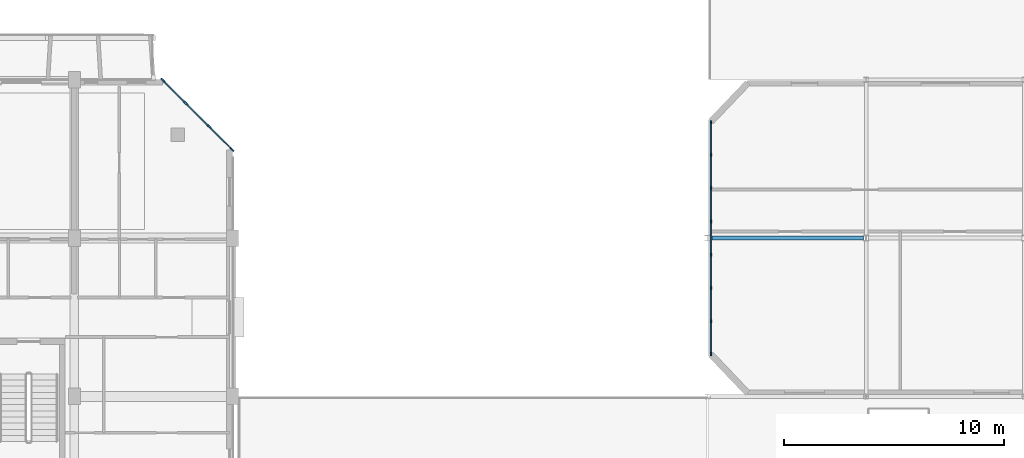
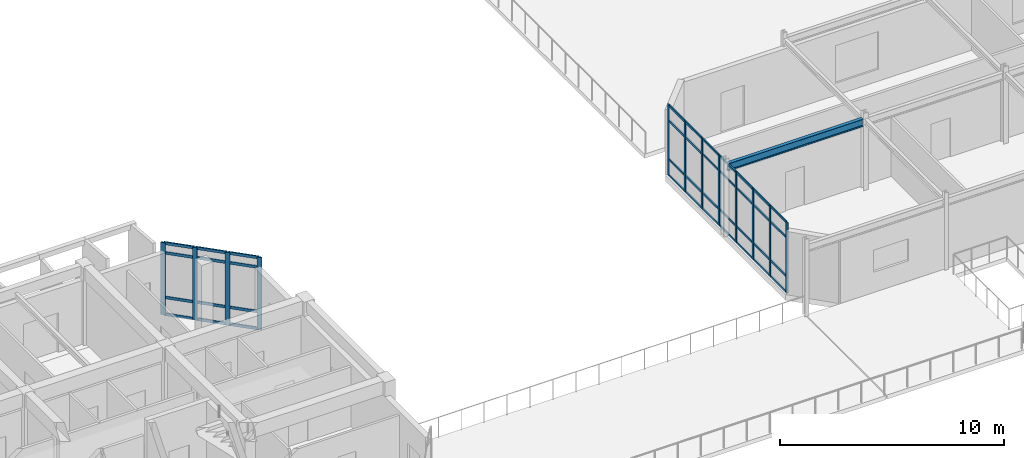
# One storey, part 28 of 85: 52 members, 1 beam, 2 elements without a shape of their own.
"""IFC4 building model written with IfcOpenShell, lengths in metres."""

from ifc_helpers import new_model, si_unit, direction, frame, origin, origin_2d, place, context, subcontext, project, spatial, rectangle, i_section, extrude, material, layer, layer_set, material_profile, profile_set, type_object, element, aggregate, save


model = new_model("IFC4")

# Units and contexts
model_context = context("Model", 3, precision=1e-05, world=origin(), true_north=direction((0.0, 1.0)))
body_context = subcontext(model_context, "Body", "Model", "MODEL_VIEW")
ifc_project = project(units=[si_unit("LENGTHUNIT", "METRE"), si_unit("AREAUNIT", "SQUARE_METRE"), si_unit("VOLUMEUNIT", "CUBIC_METRE"), si_unit("PLANEANGLEUNIT", "RADIAN"), si_unit("MASSUNIT", "GRAM", prefix="KILO")], contexts=[model_context])

# Site, building, storey
site_placement = place(None, origin())
site = spatial("IfcSite", under=ifc_project, at=site_placement, CompositionType="ELEMENT")
building_placement = place(site_placement, origin())
building = spatial("IfcBuilding", under=site, at=building_placement, Name="Ochrevale Crest", CompositionType="ELEMENT")
storey_placement = place(building_placement, frame((0.0, 0.0, 4.5)))
storey = spatial("IfcBuildingStorey", under=building, at=storey_placement, Name="L01", CompositionType="ELEMENT", Elevation=4.5)

# Beam
ifc_material_1 = material(Name="Steel S355", Category="steel")
ifc_material_profile_1 = material_profile(ifc_material_1, i_section(OverallWidth=0.177734375, OverallDepth=0.406494140625, WebThickness=0.0078125, FlangeThickness=0.0126953125, FilletRadius=0.011474609375, at=origin_2d()), Name="410UB59.7")
ifc_profile_set_1 = profile_set([ifc_material_profile_1], Name="Steel S355")
beam_type = type_object("IfcBeamType", Name="BM-UB410B", PredefinedType="BEAM", material=ifc_profile_set_1)
beam_placement = place(storey_placement, frame((57.719970703125, 86.39990234375, 3.671875), z_axis=(1.0, 0.0, 0.0), x_axis=(0.0, 1.0, 0.0)))
element("IfcBeam", 1, at=beam_placement, inside=storey, type_object=beam_type, Name="Nursery L01 steel girder Y=86.4", PredefinedType="BEAM", context=body_context, shape_type="SweptSolid", body=[
    extrude(i_section(OverallWidth=0.177734375, OverallDepth=0.406494140625, WebThickness=0.0078125, FlangeThickness=0.0126953125, FilletRadius=0.011474609375, at=origin_2d()), origin(), (0.0, 0.0, 1.0), 6.9599609375),
])

# Curtain wall, members
ifc_material_2 = material(Name="Anodised aluminium 6063-T5", Category="aluminium")
ifc_layer_1 = layer(ifc_material_2, 0.14990234375)
ifc_layer_set_1 = layer_set([ifc_layer_1], Name="Anodised aluminium 6063-T5")
curtain_wall_type_1 = type_object("IfcCurtainWallType", Name="CW-NUR-540x385", PredefinedType="NOTDEFINED", material=ifc_layer_set_1)
curtain_wall_1_placement = place(storey_placement, origin())
curtain_wall_1 = element("IfcCurtainWall", 2, at=curtain_wall_1_placement, inside=storey, type_object=curtain_wall_type_1, Name="Nursery Pavilion W glazed playroom curtain wall", PredefinedType="NOTDEFINED")
ifc_material_profile_2 = material_profile(ifc_material_2, rectangle(XDim=0.06494140625, YDim=0.14990234375, at=origin_2d()), Name="ALU 65x150")
ifc_profile_set_2 = profile_set([ifc_material_profile_2], Name="Anodised aluminium 6063-T5")
member_type_1 = type_object("IfcMemberType", Name="CW-MUL-65x150", PredefinedType="MULLION", material=ifc_profile_set_2)
member_1_placement = place(storey_placement, frame((57.75, 81.132568359375, 0.0), z_axis=(0.0, 0.0, 1.0), x_axis=(-1.0, 0.0, 0.0)))
member_1 = element("IfcMember", 3, at=member_1_placement, type_object=member_type_1, Name="CW10 mullion 1", PredefinedType="MULLION", context=body_context, shape_type="SweptSolid", body=[
    extrude(rectangle(XDim=0.06494140625, YDim=0.14990234375, at=origin_2d()), origin(), (0.0, 0.0, 1.0), 3.85009765625),
])
member_2_placement = place(storey_placement, frame((57.75, 82.6142578125, 0.0), z_axis=(0.0, 0.0, 1.0), x_axis=(-1.0, 0.0, 0.0)))
member_2 = element("IfcMember", 4, at=member_2_placement, type_object=member_type_1, Name="CW10 mullion 2", PredefinedType="MULLION", context=body_context, shape_type="SweptSolid", body=[
    extrude(rectangle(XDim=0.06494140625, YDim=0.14990234375, at=origin_2d()), origin(), (0.0, 0.0, 1.0), 3.85009765625),
])
member_3_placement = place(storey_placement, frame((57.75, 84.128662109375, 0.0), z_axis=(0.0, 0.0, 1.0), x_axis=(-1.0, 0.0, 0.0)))
member_3 = element("IfcMember", 5, at=member_3_placement, type_object=member_type_1, Name="CW10 mullion 3", PredefinedType="MULLION", context=body_context, shape_type="SweptSolid", body=[
    extrude(rectangle(XDim=0.06494140625, YDim=0.14990234375, at=origin_2d()), origin(), (0.0, 0.0, 1.0), 3.85009765625),
])
member_4_placement = place(storey_placement, frame((57.75, 85.642822265625, 0.0), z_axis=(0.0, 0.0, 1.0), x_axis=(-1.0, 0.0, 0.0)))
member_4 = element("IfcMember", 6, at=member_4_placement, type_object=member_type_1, Name="CW10 mullion 4", PredefinedType="MULLION", context=body_context, shape_type="SweptSolid", body=[
    extrude(rectangle(XDim=0.06494140625, YDim=0.14990234375, at=origin_2d()), origin(), (0.0, 0.0, 1.0), 3.85009765625),
])
member_5_placement = place(storey_placement, frame((57.75, 87.1572265625, 0.0), z_axis=(0.0, 0.0, 1.0), x_axis=(-1.0, 0.0, 0.0)))
member_5 = element("IfcMember", 7, at=member_5_placement, type_object=member_type_1, Name="CW10 mullion 5", PredefinedType="MULLION", context=body_context, shape_type="SweptSolid", body=[
    extrude(rectangle(XDim=0.06494140625, YDim=0.14990234375, at=origin_2d()), origin(), (0.0, 0.0, 1.0), 3.85009765625),
])
member_6_placement = place(storey_placement, frame((57.75, 88.67138671875, 0.0), z_axis=(0.0, 0.0, 1.0), x_axis=(-1.0, 0.0, 0.0)))
member_6 = element("IfcMember", 8, at=member_6_placement, type_object=member_type_1, Name="CW10 mullion 6", PredefinedType="MULLION", context=body_context, shape_type="SweptSolid", body=[
    extrude(rectangle(XDim=0.06494140625, YDim=0.14990234375, at=origin_2d()), origin(), (0.0, 0.0, 1.0), 3.85009765625),
])
member_7_placement = place(storey_placement, frame((57.75, 90.185791015625, 0.0), z_axis=(0.0, 0.0, 1.0), x_axis=(-1.0, 0.0, 0.0)))
member_7 = element("IfcMember", 9, at=member_7_placement, type_object=member_type_1, Name="CW10 mullion 7", PredefinedType="MULLION", context=body_context, shape_type="SweptSolid", body=[
    extrude(rectangle(XDim=0.06494140625, YDim=0.14990234375, at=origin_2d()), origin(), (0.0, 0.0, 1.0), 3.85009765625),
])
member_8_placement = place(storey_placement, frame((57.75, 91.66748046875, 0.0), z_axis=(0.0, 0.0, 1.0), x_axis=(-1.0, 0.0, 0.0)))
member_8 = element("IfcMember", 10, at=member_8_placement, type_object=member_type_1, Name="CW10 mullion 8", PredefinedType="MULLION", context=body_context, shape_type="SweptSolid", body=[
    extrude(rectangle(XDim=0.06494140625, YDim=0.14990234375, at=origin_2d()), origin(), (0.0, 0.0, 1.0), 3.85009765625),
])

ifc_layer_2 = layer(ifc_material_2, 0.14990234375)
ifc_layer_set_2 = layer_set([ifc_layer_2], Name="Anodised aluminium 6063-T5")
curtain_wall_type_2 = type_object("IfcCurtainWallType", Name="CW-WG-360x385", PredefinedType="NOTDEFINED", material=ifc_layer_set_2)
curtain_wall_2_placement = place(storey_placement, origin())
curtain_wall_2 = element("IfcCurtainWall", 11, at=curtain_wall_2_placement, inside=storey, type_object=curtain_wall_type_2, Name="Block B L01 chamfered corner wintergarden curtain wall 4", PredefinedType="NOTDEFINED")
ifc_material_profile_3 = material_profile(ifc_material_2, rectangle(XDim=0.074951171875, YDim=0.219970703125, at=origin_2d()), Name="ALU 75x220")
ifc_profile_set_3 = profile_set([ifc_material_profile_3], Name="Anodised aluminium 6063-T5")
member_type_2 = type_object("IfcMemberType", Name="CW-MUL-75x220", PredefinedType="MULLION", material=ifc_profile_set_3)
member_9_placement = place(storey_placement, frame((35.973388671875, 90.426513671875, 0.0), z_axis=(0.0, 0.0, 1.0), x_axis=(-0.707106781187, -0.707106781187, 0.0)))
member_9 = element("IfcMember", 12, at=member_9_placement, type_object=member_type_2, Name="CW20 mullion 1", PredefinedType="MULLION", context=body_context, shape_type="SweptSolid", body=[
    extrude(rectangle(XDim=0.074951171875, YDim=0.219970703125, at=origin_2d()), origin(), (0.0, 0.0, 1.0), 3.925048828125),
])
member_10_placement = place(storey_placement, frame((34.933349609375, 91.466552734375, 0.0), z_axis=(0.0, 0.0, 1.0), x_axis=(-0.707106781187, -0.707106781187, 0.0)))
member_10 = element("IfcMember", 13, at=member_10_placement, type_object=member_type_2, Name="CW20 mullion 2", PredefinedType="MULLION", context=body_context, shape_type="SweptSolid", body=[
    extrude(rectangle(XDim=0.074951171875, YDim=0.219970703125, at=origin_2d()), origin(), (0.0, 0.0, 1.0), 3.925048828125),
])
member_11_placement = place(storey_placement, frame((33.86669921875, 92.533447265625, 0.0), z_axis=(0.0, 0.0, 1.0), x_axis=(-0.707106781187, -0.707106781187, 0.0)))
member_11 = element("IfcMember", 14, at=member_11_placement, type_object=member_type_2, Name="CW20 mullion 3", PredefinedType="MULLION", context=body_context, shape_type="SweptSolid", body=[
    extrude(rectangle(XDim=0.074951171875, YDim=0.219970703125, at=origin_2d()), origin(), (0.0, 0.0, 1.0), 3.925048828125),
])
member_12_placement = place(storey_placement, frame((32.826416015625, 93.573486328125, 0.0), z_axis=(0.0, 0.0, 1.0), x_axis=(-0.707106781187, -0.707106781187, 0.0)))
member_12 = element("IfcMember", 15, at=member_12_placement, type_object=member_type_2, Name="CW20 mullion 4", PredefinedType="MULLION", context=body_context, shape_type="SweptSolid", body=[
    extrude(rectangle(XDim=0.074951171875, YDim=0.219970703125, at=origin_2d()), origin(), (0.0, 0.0, 1.0), 3.925048828125),
])

# Member
ifc_material_profile_4 = material_profile(ifc_material_2, rectangle(XDim=0.06005859375, YDim=0.1201171875, at=origin_2d()), Name="ALU 60x120")
ifc_profile_set_4 = profile_set([ifc_material_profile_4], Name="Anodised aluminium 6063-T5")
member_type_3 = type_object("IfcMemberType", Name="CW-TRN-60x120", PredefinedType="USERDEFINED", material=ifc_profile_set_4)
member_13_placement = place(storey_placement, frame((57.75, 81.1650390625, 0.030029296875), z_axis=(0.0, 1.0, 0.0), x_axis=(-1.0, 0.0, 0.0)))
member_13 = element("IfcMember", 16, at=member_13_placement, type_object=member_type_3, Name="CW10 transom 1.1", ObjectType="TRANSOM", PredefinedType="USERDEFINED", context=body_context, shape_type="SweptSolid", body=[
    extrude(rectangle(XDim=0.06005859375, YDim=0.1201171875, at=origin_2d()), origin(), (0.0, 0.0, 1.0), 1.416748046875),
])

member_14_placement = place(storey_placement, frame((57.75, 81.1650390625, 0.89990234375), z_axis=(0.0, 1.0, 0.0), x_axis=(-1.0, 0.0, 0.0)))
member_14 = element("IfcMember", 17, at=member_14_placement, type_object=member_type_3, Name="CW10 transom 1.2", ObjectType="TRANSOM", PredefinedType="USERDEFINED", context=body_context, shape_type="SweptSolid", body=[
    extrude(rectangle(XDim=0.06005859375, YDim=0.1201171875, at=origin_2d()), origin(), (0.0, 0.0, 1.0), 1.416748046875),
])

member_15_placement = place(storey_placement, frame((57.75, 81.1650390625, 3.0), z_axis=(0.0, 1.0, 0.0), x_axis=(-1.0, 0.0, 0.0)))
member_15 = element("IfcMember", 18, at=member_15_placement, type_object=member_type_3, Name="CW10 transom 1.3", ObjectType="TRANSOM", PredefinedType="USERDEFINED", context=body_context, shape_type="SweptSolid", body=[
    extrude(rectangle(XDim=0.06005859375, YDim=0.1201171875, at=origin_2d()), origin(), (0.0, 0.0, 1.0), 1.416748046875),
])

member_16_placement = place(storey_placement, frame((57.75, 81.1650390625, 3.820068359375), z_axis=(0.0, 1.0, 0.0), x_axis=(-1.0, 0.0, 0.0)))
member_16 = element("IfcMember", 19, at=member_16_placement, type_object=member_type_3, Name="CW10 transom 1.4", ObjectType="TRANSOM", PredefinedType="USERDEFINED", context=body_context, shape_type="SweptSolid", body=[
    extrude(rectangle(XDim=0.06005859375, YDim=0.1201171875, at=origin_2d()), origin(), (0.0, 0.0, 1.0), 1.416748046875),
])

member_17_placement = place(storey_placement, frame((57.75, 82.646728515625, 0.030029296875), z_axis=(0.0, 1.0, 0.0), x_axis=(-1.0, 0.0, 0.0)))
member_17 = element("IfcMember", 20, at=member_17_placement, type_object=member_type_3, Name="CW10 transom 2.1", ObjectType="TRANSOM", PredefinedType="USERDEFINED", context=body_context, shape_type="SweptSolid", body=[
    extrude(rectangle(XDim=0.06005859375, YDim=0.1201171875, at=origin_2d()), origin(), (0.0, 0.0, 1.0), 1.449462890625),
])

member_18_placement = place(storey_placement, frame((57.75, 82.646728515625, 0.89990234375), z_axis=(0.0, 1.0, 0.0), x_axis=(-1.0, 0.0, 0.0)))
member_18 = element("IfcMember", 21, at=member_18_placement, type_object=member_type_3, Name="CW10 transom 2.2", ObjectType="TRANSOM", PredefinedType="USERDEFINED", context=body_context, shape_type="SweptSolid", body=[
    extrude(rectangle(XDim=0.06005859375, YDim=0.1201171875, at=origin_2d()), origin(), (0.0, 0.0, 1.0), 1.449462890625),
])

member_19_placement = place(storey_placement, frame((57.75, 82.646728515625, 3.0), z_axis=(0.0, 1.0, 0.0), x_axis=(-1.0, 0.0, 0.0)))
member_19 = element("IfcMember", 22, at=member_19_placement, type_object=member_type_3, Name="CW10 transom 2.3", ObjectType="TRANSOM", PredefinedType="USERDEFINED", context=body_context, shape_type="SweptSolid", body=[
    extrude(rectangle(XDim=0.06005859375, YDim=0.1201171875, at=origin_2d()), origin(), (0.0, 0.0, 1.0), 1.449462890625),
])

member_20_placement = place(storey_placement, frame((57.75, 82.646728515625, 3.820068359375), z_axis=(0.0, 1.0, 0.0), x_axis=(-1.0, 0.0, 0.0)))
member_20 = element("IfcMember", 23, at=member_20_placement, type_object=member_type_3, Name="CW10 transom 2.4", ObjectType="TRANSOM", PredefinedType="USERDEFINED", context=body_context, shape_type="SweptSolid", body=[
    extrude(rectangle(XDim=0.06005859375, YDim=0.1201171875, at=origin_2d()), origin(), (0.0, 0.0, 1.0), 1.449462890625),
])

member_21_placement = place(storey_placement, frame((57.75, 84.1611328125, 0.030029296875), z_axis=(0.0, 1.0, 0.0), x_axis=(-1.0, 0.0, 0.0)))
member_21 = element("IfcMember", 24, at=member_21_placement, type_object=member_type_3, Name="CW10 transom 3.1", ObjectType="TRANSOM", PredefinedType="USERDEFINED", context=body_context, shape_type="SweptSolid", body=[
    extrude(rectangle(XDim=0.06005859375, YDim=0.1201171875, at=origin_2d()), origin(), (0.0, 0.0, 1.0), 1.44921875),
])

member_22_placement = place(storey_placement, frame((57.75, 84.1611328125, 0.89990234375), z_axis=(0.0, 1.0, 0.0), x_axis=(-1.0, 0.0, 0.0)))
member_22 = element("IfcMember", 25, at=member_22_placement, type_object=member_type_3, Name="CW10 transom 3.2", ObjectType="TRANSOM", PredefinedType="USERDEFINED", context=body_context, shape_type="SweptSolid", body=[
    extrude(rectangle(XDim=0.06005859375, YDim=0.1201171875, at=origin_2d()), origin(), (0.0, 0.0, 1.0), 1.44921875),
])

member_23_placement = place(storey_placement, frame((57.75, 84.1611328125, 3.0), z_axis=(0.0, 1.0, 0.0), x_axis=(-1.0, 0.0, 0.0)))
member_23 = element("IfcMember", 26, at=member_23_placement, type_object=member_type_3, Name="CW10 transom 3.3", ObjectType="TRANSOM", PredefinedType="USERDEFINED", context=body_context, shape_type="SweptSolid", body=[
    extrude(rectangle(XDim=0.06005859375, YDim=0.1201171875, at=origin_2d()), origin(), (0.0, 0.0, 1.0), 1.44921875),
])

member_24_placement = place(storey_placement, frame((57.75, 84.1611328125, 3.820068359375), z_axis=(0.0, 1.0, 0.0), x_axis=(-1.0, 0.0, 0.0)))
member_24 = element("IfcMember", 27, at=member_24_placement, type_object=member_type_3, Name="CW10 transom 3.4", ObjectType="TRANSOM", PredefinedType="USERDEFINED", context=body_context, shape_type="SweptSolid", body=[
    extrude(rectangle(XDim=0.06005859375, YDim=0.1201171875, at=origin_2d()), origin(), (0.0, 0.0, 1.0), 1.44921875),
])

member_25_placement = place(storey_placement, frame((57.75, 85.67529296875, 0.030029296875), z_axis=(0.0, 1.0, 0.0), x_axis=(-1.0, 0.0, 0.0)))
member_25 = element("IfcMember", 28, at=member_25_placement, type_object=member_type_3, Name="CW10 transom 4.1", ObjectType="TRANSOM", PredefinedType="USERDEFINED", context=body_context, shape_type="SweptSolid", body=[
    extrude(rectangle(XDim=0.06005859375, YDim=0.1201171875, at=origin_2d()), origin(), (0.0, 0.0, 1.0), 1.449462890625),
])

member_26_placement = place(storey_placement, frame((57.75, 85.67529296875, 0.89990234375), z_axis=(0.0, 1.0, 0.0), x_axis=(-1.0, 0.0, 0.0)))
member_26 = element("IfcMember", 29, at=member_26_placement, type_object=member_type_3, Name="CW10 transom 4.2", ObjectType="TRANSOM", PredefinedType="USERDEFINED", context=body_context, shape_type="SweptSolid", body=[
    extrude(rectangle(XDim=0.06005859375, YDim=0.1201171875, at=origin_2d()), origin(), (0.0, 0.0, 1.0), 1.449462890625),
])

member_27_placement = place(storey_placement, frame((57.75, 85.67529296875, 3.0), z_axis=(0.0, 1.0, 0.0), x_axis=(-1.0, 0.0, 0.0)))
member_27 = element("IfcMember", 30, at=member_27_placement, type_object=member_type_3, Name="CW10 transom 4.3", ObjectType="TRANSOM", PredefinedType="USERDEFINED", context=body_context, shape_type="SweptSolid", body=[
    extrude(rectangle(XDim=0.06005859375, YDim=0.1201171875, at=origin_2d()), origin(), (0.0, 0.0, 1.0), 1.449462890625),
])

member_28_placement = place(storey_placement, frame((57.75, 85.67529296875, 3.820068359375), z_axis=(0.0, 1.0, 0.0), x_axis=(-1.0, 0.0, 0.0)))
member_28 = element("IfcMember", 31, at=member_28_placement, type_object=member_type_3, Name="CW10 transom 4.4", ObjectType="TRANSOM", PredefinedType="USERDEFINED", context=body_context, shape_type="SweptSolid", body=[
    extrude(rectangle(XDim=0.06005859375, YDim=0.1201171875, at=origin_2d()), origin(), (0.0, 0.0, 1.0), 1.449462890625),
])

member_29_placement = place(storey_placement, frame((57.75, 87.189697265625, 0.030029296875), z_axis=(0.0, 1.0, 0.0), x_axis=(-1.0, 0.0, 0.0)))
member_29 = element("IfcMember", 32, at=member_29_placement, type_object=member_type_3, Name="CW10 transom 5.1", ObjectType="TRANSOM", PredefinedType="USERDEFINED", context=body_context, shape_type="SweptSolid", body=[
    extrude(rectangle(XDim=0.06005859375, YDim=0.1201171875, at=origin_2d()), origin(), (0.0, 0.0, 1.0), 1.44921875),
])

member_30_placement = place(storey_placement, frame((57.75, 87.189697265625, 0.89990234375), z_axis=(0.0, 1.0, 0.0), x_axis=(-1.0, 0.0, 0.0)))
member_30 = element("IfcMember", 33, at=member_30_placement, type_object=member_type_3, Name="CW10 transom 5.2", ObjectType="TRANSOM", PredefinedType="USERDEFINED", context=body_context, shape_type="SweptSolid", body=[
    extrude(rectangle(XDim=0.06005859375, YDim=0.1201171875, at=origin_2d()), origin(), (0.0, 0.0, 1.0), 1.44921875),
])

member_31_placement = place(storey_placement, frame((57.75, 87.189697265625, 3.0), z_axis=(0.0, 1.0, 0.0), x_axis=(-1.0, 0.0, 0.0)))
member_31 = element("IfcMember", 34, at=member_31_placement, type_object=member_type_3, Name="CW10 transom 5.3", ObjectType="TRANSOM", PredefinedType="USERDEFINED", context=body_context, shape_type="SweptSolid", body=[
    extrude(rectangle(XDim=0.06005859375, YDim=0.1201171875, at=origin_2d()), origin(), (0.0, 0.0, 1.0), 1.44921875),
])

member_32_placement = place(storey_placement, frame((57.75, 87.189697265625, 3.820068359375), z_axis=(0.0, 1.0, 0.0), x_axis=(-1.0, 0.0, 0.0)))
member_32 = element("IfcMember", 35, at=member_32_placement, type_object=member_type_3, Name="CW10 transom 5.4", ObjectType="TRANSOM", PredefinedType="USERDEFINED", context=body_context, shape_type="SweptSolid", body=[
    extrude(rectangle(XDim=0.06005859375, YDim=0.1201171875, at=origin_2d()), origin(), (0.0, 0.0, 1.0), 1.44921875),
])

member_33_placement = place(storey_placement, frame((57.75, 88.703857421875, 0.030029296875), z_axis=(0.0, 1.0, 0.0), x_axis=(-1.0, 0.0, 0.0)))
member_33 = element("IfcMember", 36, at=member_33_placement, type_object=member_type_3, Name="CW10 transom 6.1", ObjectType="TRANSOM", PredefinedType="USERDEFINED", context=body_context, shape_type="SweptSolid", body=[
    extrude(rectangle(XDim=0.06005859375, YDim=0.1201171875, at=origin_2d()), origin(), (0.0, 0.0, 1.0), 1.449462890625),
])

member_34_placement = place(storey_placement, frame((57.75, 88.703857421875, 0.89990234375), z_axis=(0.0, 1.0, 0.0), x_axis=(-1.0, 0.0, 0.0)))
member_34 = element("IfcMember", 37, at=member_34_placement, type_object=member_type_3, Name="CW10 transom 6.2", ObjectType="TRANSOM", PredefinedType="USERDEFINED", context=body_context, shape_type="SweptSolid", body=[
    extrude(rectangle(XDim=0.06005859375, YDim=0.1201171875, at=origin_2d()), origin(), (0.0, 0.0, 1.0), 1.449462890625),
])

member_35_placement = place(storey_placement, frame((57.75, 88.703857421875, 3.0), z_axis=(0.0, 1.0, 0.0), x_axis=(-1.0, 0.0, 0.0)))
member_35 = element("IfcMember", 38, at=member_35_placement, type_object=member_type_3, Name="CW10 transom 6.3", ObjectType="TRANSOM", PredefinedType="USERDEFINED", context=body_context, shape_type="SweptSolid", body=[
    extrude(rectangle(XDim=0.06005859375, YDim=0.1201171875, at=origin_2d()), origin(), (0.0, 0.0, 1.0), 1.449462890625),
])

member_36_placement = place(storey_placement, frame((57.75, 88.703857421875, 3.820068359375), z_axis=(0.0, 1.0, 0.0), x_axis=(-1.0, 0.0, 0.0)))
member_36 = element("IfcMember", 39, at=member_36_placement, type_object=member_type_3, Name="CW10 transom 6.4", ObjectType="TRANSOM", PredefinedType="USERDEFINED", context=body_context, shape_type="SweptSolid", body=[
    extrude(rectangle(XDim=0.06005859375, YDim=0.1201171875, at=origin_2d()), origin(), (0.0, 0.0, 1.0), 1.449462890625),
])

member_37_placement = place(storey_placement, frame((57.75, 90.21826171875, 0.030029296875), z_axis=(0.0, 1.0, 0.0), x_axis=(-1.0, 0.0, 0.0)))
member_37 = element("IfcMember", 40, at=member_37_placement, type_object=member_type_3, Name="CW10 transom 7.1", ObjectType="TRANSOM", PredefinedType="USERDEFINED", context=body_context, shape_type="SweptSolid", body=[
    extrude(rectangle(XDim=0.06005859375, YDim=0.1201171875, at=origin_2d()), origin(), (0.0, 0.0, 1.0), 1.416748046875),
])

member_38_placement = place(storey_placement, frame((57.75, 90.21826171875, 0.89990234375), z_axis=(0.0, 1.0, 0.0), x_axis=(-1.0, 0.0, 0.0)))
member_38 = element("IfcMember", 41, at=member_38_placement, type_object=member_type_3, Name="CW10 transom 7.2", ObjectType="TRANSOM", PredefinedType="USERDEFINED", context=body_context, shape_type="SweptSolid", body=[
    extrude(rectangle(XDim=0.06005859375, YDim=0.1201171875, at=origin_2d()), origin(), (0.0, 0.0, 1.0), 1.416748046875),
])

member_39_placement = place(storey_placement, frame((57.75, 90.21826171875, 3.0), z_axis=(0.0, 1.0, 0.0), x_axis=(-1.0, 0.0, 0.0)))
member_39 = element("IfcMember", 42, at=member_39_placement, type_object=member_type_3, Name="CW10 transom 7.3", ObjectType="TRANSOM", PredefinedType="USERDEFINED", context=body_context, shape_type="SweptSolid", body=[
    extrude(rectangle(XDim=0.06005859375, YDim=0.1201171875, at=origin_2d()), origin(), (0.0, 0.0, 1.0), 1.416748046875),
])

member_40_placement = place(storey_placement, frame((57.75, 90.21826171875, 3.820068359375), z_axis=(0.0, 1.0, 0.0), x_axis=(-1.0, 0.0, 0.0)))
member_40 = element("IfcMember", 43, at=member_40_placement, type_object=member_type_3, Name="CW10 transom 7.4", ObjectType="TRANSOM", PredefinedType="USERDEFINED", context=body_context, shape_type="SweptSolid", body=[
    extrude(rectangle(XDim=0.06005859375, YDim=0.1201171875, at=origin_2d()), origin(), (0.0, 0.0, 1.0), 1.416748046875),
])

aggregate(curtain_wall_1, [member_1, member_2, member_3, member_4, member_5, member_6, member_7, member_8, member_13, member_14, member_15, member_16, member_17, member_18, member_19, member_20, member_21, member_22, member_23, member_24, member_25, member_26, member_27, member_28, member_29, member_30, member_31, member_32, member_33, member_34, member_35, member_36, member_37, member_38, member_39, member_40])

ifc_material_profile_5 = material_profile(ifc_material_2, rectangle(XDim=0.06005859375, YDim=0.14990234375, at=origin_2d()), Name="ALU 60x150")
ifc_profile_set_5 = profile_set([ifc_material_profile_5], Name="Anodised aluminium 6063-T5")
member_type_4 = type_object("IfcMemberType", Name="CW-TRN-60x150", PredefinedType="USERDEFINED", material=ifc_profile_set_5)
member_41_placement = place(storey_placement, frame((35.947021484375, 90.453125, 0.030029296875), z_axis=(-0.707106781187, 0.707106781187, 0.0), x_axis=(-0.707106781187, -0.707106781187, 0.0)))
member_41 = element("IfcMember", 44, at=member_41_placement, type_object=member_type_4, Name="CW20 transom 1.1", ObjectType="TRANSOM", PredefinedType="USERDEFINED", context=body_context, shape_type="SweptSolid", body=[
    extrude(rectangle(XDim=0.06005859375, YDim=0.14990234375, at=origin_2d()), origin(), (0.0, 0.0, 1.0), 1.39599609375),
])

member_42_placement = place(storey_placement, frame((35.947021484375, 90.453125, 0.949951171875), z_axis=(-0.707106781187, 0.707106781187, 0.0), x_axis=(-0.707106781187, -0.707106781187, 0.0)))
member_42 = element("IfcMember", 45, at=member_42_placement, type_object=member_type_4, Name="CW20 transom 1.2", ObjectType="TRANSOM", PredefinedType="USERDEFINED", context=body_context, shape_type="SweptSolid", body=[
    extrude(rectangle(XDim=0.06005859375, YDim=0.14990234375, at=origin_2d()), origin(), (0.0, 0.0, 1.0), 1.39599609375),
])

member_43_placement = place(storey_placement, frame((35.947021484375, 90.453125, 3.375), z_axis=(-0.707106781187, 0.707106781187, 0.0), x_axis=(-0.707106781187, -0.707106781187, 0.0)))
member_43 = element("IfcMember", 46, at=member_43_placement, type_object=member_type_4, Name="CW20 transom 1.3", ObjectType="TRANSOM", PredefinedType="USERDEFINED", context=body_context, shape_type="SweptSolid", body=[
    extrude(rectangle(XDim=0.06005859375, YDim=0.14990234375, at=origin_2d()), origin(), (0.0, 0.0, 1.0), 1.39599609375),
])

member_44_placement = place(storey_placement, frame((35.947021484375, 90.453125, 3.89501953125), z_axis=(-0.707106781187, 0.707106781187, 0.0), x_axis=(-0.707106781187, -0.707106781187, 0.0)))
member_44 = element("IfcMember", 47, at=member_44_placement, type_object=member_type_4, Name="CW20 transom 1.4", ObjectType="TRANSOM", PredefinedType="USERDEFINED", context=body_context, shape_type="SweptSolid", body=[
    extrude(rectangle(XDim=0.06005859375, YDim=0.14990234375, at=origin_2d()), origin(), (0.0, 0.0, 1.0), 1.39599609375),
])

member_45_placement = place(storey_placement, frame((34.90673828125, 91.4931640625, 0.030029296875), z_axis=(-0.707106781187, 0.707106781187, 0.0), x_axis=(-0.707106781187, -0.707106781187, 0.0)))
member_45 = element("IfcMember", 48, at=member_45_placement, type_object=member_type_4, Name="CW20 transom 2.1", ObjectType="TRANSOM", PredefinedType="USERDEFINED", context=body_context, shape_type="SweptSolid", body=[
    extrude(rectangle(XDim=0.06005859375, YDim=0.14990234375, at=origin_2d()), origin(), (0.0, 0.0, 1.0), 1.43359375),
])

member_46_placement = place(storey_placement, frame((34.90673828125, 91.4931640625, 0.949951171875), z_axis=(-0.707106781187, 0.707106781187, 0.0), x_axis=(-0.707106781187, -0.707106781187, 0.0)))
member_46 = element("IfcMember", 49, at=member_46_placement, type_object=member_type_4, Name="CW20 transom 2.2", ObjectType="TRANSOM", PredefinedType="USERDEFINED", context=body_context, shape_type="SweptSolid", body=[
    extrude(rectangle(XDim=0.06005859375, YDim=0.14990234375, at=origin_2d()), origin(), (0.0, 0.0, 1.0), 1.43359375),
])

member_47_placement = place(storey_placement, frame((34.90673828125, 91.4931640625, 3.375), z_axis=(-0.707106781187, 0.707106781187, 0.0), x_axis=(-0.707106781187, -0.707106781187, 0.0)))
member_47 = element("IfcMember", 50, at=member_47_placement, type_object=member_type_4, Name="CW20 transom 2.3", ObjectType="TRANSOM", PredefinedType="USERDEFINED", context=body_context, shape_type="SweptSolid", body=[
    extrude(rectangle(XDim=0.06005859375, YDim=0.14990234375, at=origin_2d()), origin(), (0.0, 0.0, 1.0), 1.43359375),
])

member_48_placement = place(storey_placement, frame((34.90673828125, 91.4931640625, 3.89501953125), z_axis=(-0.707106781187, 0.707106781187, 0.0), x_axis=(-0.707106781187, -0.707106781187, 0.0)))
member_48 = element("IfcMember", 51, at=member_48_placement, type_object=member_type_4, Name="CW20 transom 2.4", ObjectType="TRANSOM", PredefinedType="USERDEFINED", context=body_context, shape_type="SweptSolid", body=[
    extrude(rectangle(XDim=0.06005859375, YDim=0.14990234375, at=origin_2d()), origin(), (0.0, 0.0, 1.0), 1.43359375),
])

member_49_placement = place(storey_placement, frame((33.840087890625, 92.559814453125, 0.030029296875), z_axis=(-0.707106781187, 0.707106781187, 0.0), x_axis=(-0.707106781187, -0.707106781187, 0.0)))
member_49 = element("IfcMember", 52, at=member_49_placement, type_object=member_type_4, Name="CW20 transom 3.1", ObjectType="TRANSOM", PredefinedType="USERDEFINED", context=body_context, shape_type="SweptSolid", body=[
    extrude(rectangle(XDim=0.06005859375, YDim=0.14990234375, at=origin_2d()), origin(), (0.0, 0.0, 1.0), 1.39599609375),
])

member_50_placement = place(storey_placement, frame((33.840087890625, 92.559814453125, 0.949951171875), z_axis=(-0.707106781187, 0.707106781187, 0.0), x_axis=(-0.707106781187, -0.707106781187, 0.0)))
member_50 = element("IfcMember", 53, at=member_50_placement, type_object=member_type_4, Name="CW20 transom 3.2", ObjectType="TRANSOM", PredefinedType="USERDEFINED", context=body_context, shape_type="SweptSolid", body=[
    extrude(rectangle(XDim=0.06005859375, YDim=0.14990234375, at=origin_2d()), origin(), (0.0, 0.0, 1.0), 1.39599609375),
])

member_51_placement = place(storey_placement, frame((33.840087890625, 92.559814453125, 3.375), z_axis=(-0.707106781187, 0.707106781187, 0.0), x_axis=(-0.707106781187, -0.707106781187, 0.0)))
member_51 = element("IfcMember", 54, at=member_51_placement, type_object=member_type_4, Name="CW20 transom 3.3", ObjectType="TRANSOM", PredefinedType="USERDEFINED", context=body_context, shape_type="SweptSolid", body=[
    extrude(rectangle(XDim=0.06005859375, YDim=0.14990234375, at=origin_2d()), origin(), (0.0, 0.0, 1.0), 1.39599609375),
])

member_52_placement = place(storey_placement, frame((33.840087890625, 92.559814453125, 3.89501953125), z_axis=(-0.707106781187, 0.707106781187, 0.0), x_axis=(-0.707106781187, -0.707106781187, 0.0)))
member_52 = element("IfcMember", 55, at=member_52_placement, type_object=member_type_4, Name="CW20 transom 3.4", ObjectType="TRANSOM", PredefinedType="USERDEFINED", context=body_context, shape_type="SweptSolid", body=[
    extrude(rectangle(XDim=0.06005859375, YDim=0.14990234375, at=origin_2d()), origin(), (0.0, 0.0, 1.0), 1.39599609375),
])

aggregate(curtain_wall_2, [member_9, member_10, member_11, member_12, member_41, member_42, member_43, member_44, member_45, member_46, member_47, member_48, member_49, member_50, member_51, member_52])

save(model, "model.ifc")
